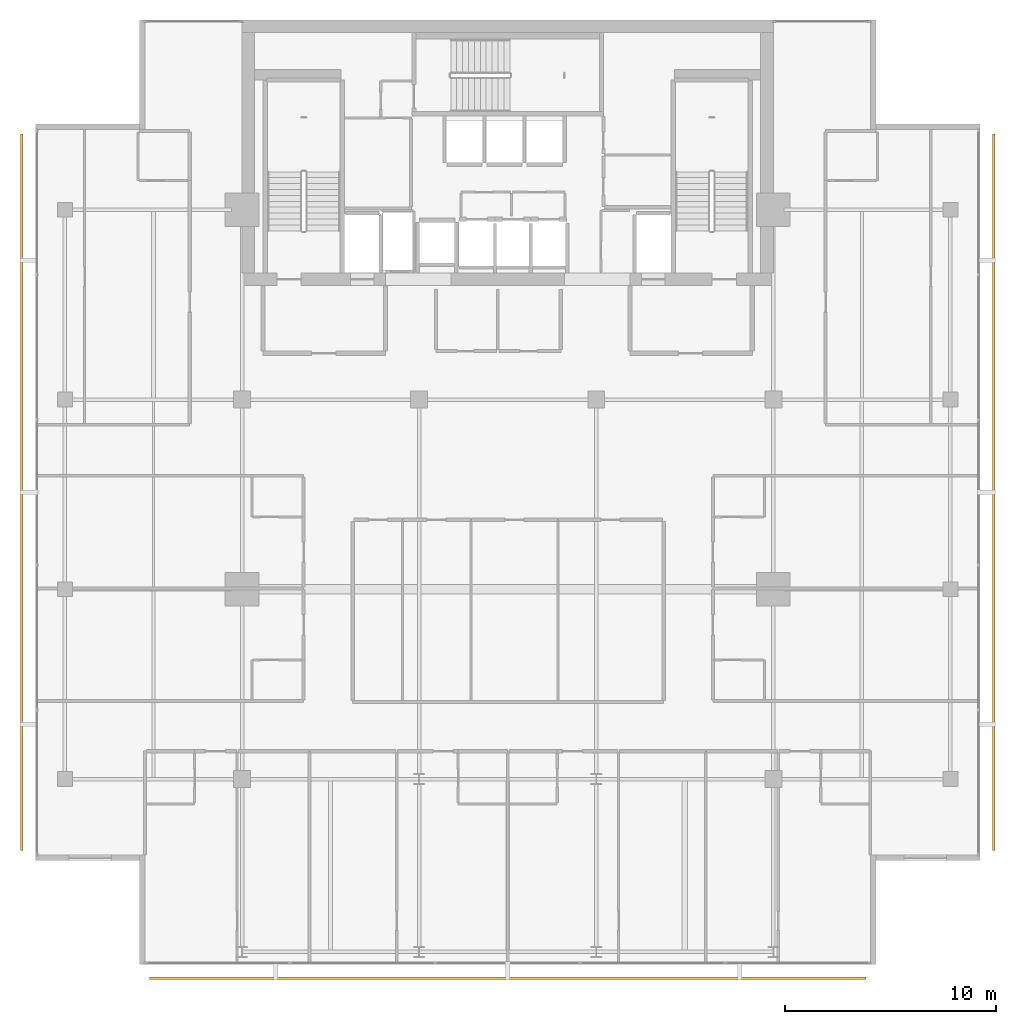
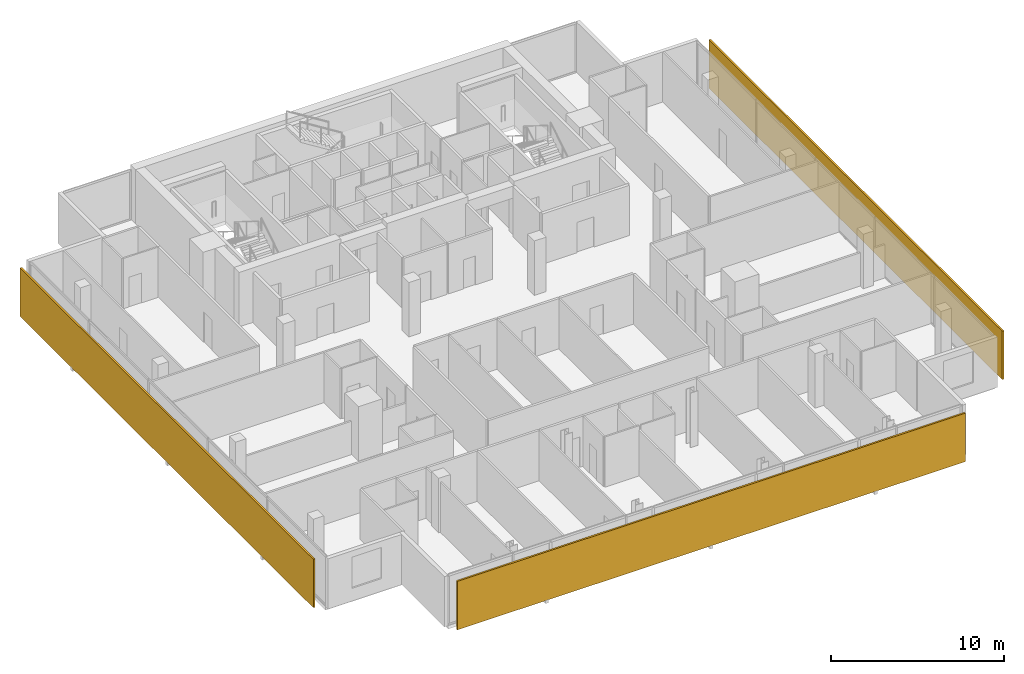
# One storey, part 25 of 26: 3 shading devices.
"""IFC4 building model written with IfcOpenShell, lengths in metres."""

from ifc_helpers import new_model, si_unit, direction, frame, origin, origin_2d, place, context, subcontext, project, spatial, rectangle, extrude, material, layer, layer_set, type_object, element, save


model = new_model("IFC4")

# Units and contexts
model_context = context("Model", 3, precision=1e-05, world=origin(), true_north=direction((0.0, 1.0)))
body_context = subcontext(model_context, "Body", "Model", "MODEL_VIEW")
ifc_project = project(units=[si_unit("LENGTHUNIT", "METRE"), si_unit("AREAUNIT", "SQUARE_METRE"), si_unit("VOLUMEUNIT", "CUBIC_METRE"), si_unit("PLANEANGLEUNIT", "RADIAN"), si_unit("MASSUNIT", "GRAM", prefix="KILO")], contexts=[model_context])

# Site, building, storey
site_placement = place(None, origin())
site = spatial("IfcSite", under=ifc_project, at=site_placement, CompositionType="ELEMENT")
building_placement = place(site_placement, origin())
building = spatial("IfcBuilding", under=site, at=building_placement, Name="Maruvema Waterfront Hotel and Observation Tower", CompositionType="ELEMENT")
storey_placement = place(building_placement, frame((0.0, 0.0, 312.550048828125)))
storey = spatial("IfcBuildingStorey", under=building, at=storey_placement, Name="L77", CompositionType="ELEMENT", Elevation=312.550048828125)

# Shading devices
ifc_material = material(Name="Honed travertine stone and anodised architectural bronze", Category="masonry")
ifc_layer = layer(ifc_material, 0.1201171875, Name="Ventilated Outer Skin Cobogo Stone-and-Bronze Screen 120 mm")
ifc_layer_set = layer_set([ifc_layer], Name="Honed travertine stone and anodised architectural bronze")
shading_device_type = type_object("IfcShadingDeviceType", Name="Ventilated Outer Skin Cobogo Stone-and-Bronze Screen 120 mm", PredefinedType="USERDEFINED", material=ifc_layer_set)
for number, where, z_axis, x_axis, name in (
    (1, (37.800048828125, 8.550048828125, 0.06005859375), (0.0, 0.0, 1.0), (1.0, 0.0, 0.0), "L77 Ventilated Double-Skin Outer Cobogo Screen OS-L77-S"),
    (2, (60.85009765625, 31.60009765625, 0.06005859375), (0.0, 0.0, 1.0), (0.0, 1.0, 0.0), "L77 Ventilated Double-Skin Outer Cobogo Screen OS-L77-E"),
    (3, (14.75, 31.60009765625, 0.06005859375), (0.0, 0.0, 1.0), (0.0, -1.0, 0.0), "L77 Ventilated Double-Skin Outer Cobogo Screen OS-L77-W"),
):
    element("IfcShadingDevice", number, at=place(storey_placement, frame(where, z_axis=z_axis, x_axis=x_axis)), inside=storey, type_object=shading_device_type, Name=name, ObjectType="OUTER SKIN SCREEN", PredefinedType="USERDEFINED", context=body_context, shape_type="SweptSolid", body=[
        extrude(rectangle(XDim=34.0, YDim=0.1201171875, at=origin_2d()), origin(), (0.0, 0.0, 1.0), 3.429931640625),
    ])

save(model, "model.ifc")
